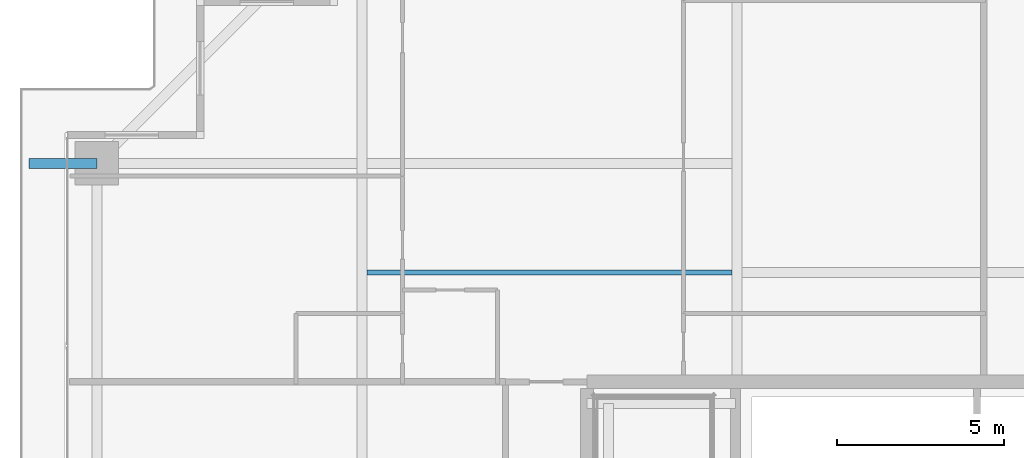
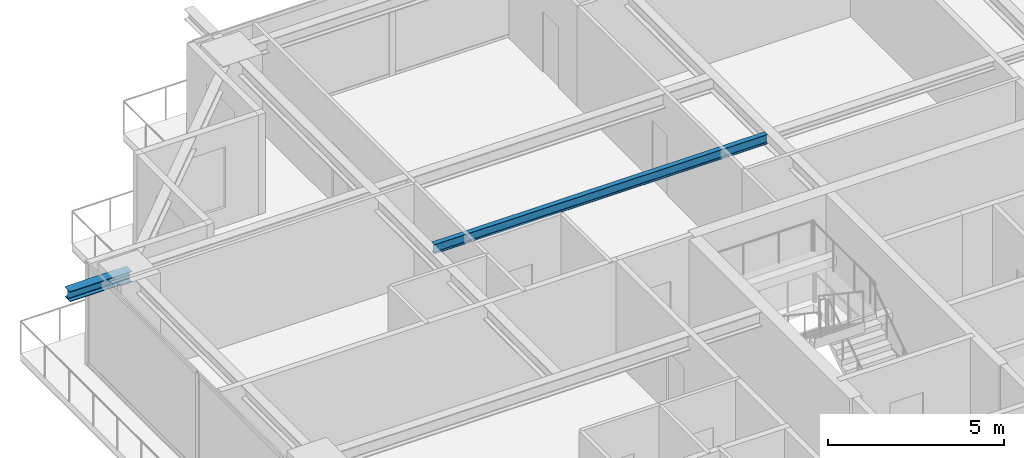
# One storey, part 17 of 36: 2 beams.
"""IFC4 building model written with IfcOpenShell, lengths in metres."""

from ifc_helpers import new_model, si_unit, direction, frame, origin, origin_2d, place, context, subcontext, project, spatial, i_section, extrude, source, transform, mapped, material, material_profile, profile_set, type_object, element, save


model = new_model("IFC4")

# Units and contexts
model_context = context("Model", 3, precision=1e-05, world=origin(), true_north=direction((0.0, 1.0)))
body_context = subcontext(model_context, "Body", "Model", "MODEL_VIEW")
ifc_project = project(units=[si_unit("LENGTHUNIT", "METRE"), si_unit("AREAUNIT", "SQUARE_METRE"), si_unit("VOLUMEUNIT", "CUBIC_METRE"), si_unit("PLANEANGLEUNIT", "RADIAN"), si_unit("MASSUNIT", "GRAM", prefix="KILO")], contexts=[model_context])

# Site, building, storey
site_placement = place(None, origin())
site = spatial("IfcSite", under=ifc_project, at=site_placement, CompositionType="ELEMENT")
building_placement = place(site_placement, origin())
building = spatial("IfcBuilding", under=site, at=building_placement, Name="Serunith Strait Residences", CompositionType="ELEMENT")
storey_placement = place(building_placement, frame((0.0, 0.0, 131.39990234375)))
storey = spatial("IfcBuildingStorey", under=building, at=storey_placement, Name="L32", CompositionType="ELEMENT", Elevation=131.39990234375)

# Beams
ifc_material = material(Name="Steel S355J2", Category="steel")
ifc_material_profile_1 = material_profile(ifc_material, i_section(OverallWidth=0.300048828125, OverallDepth=0.360107421875, WebThickness=0.012451171875, FlangeThickness=0.0224609375, FilletRadius=0.027099609375, at=origin_2d()), Name="HEB 360")
ifc_profile_set_1 = profile_set([ifc_material_profile_1], Name="Steel S355J2")
beam_type_1 = type_object("IfcBeamType", Name="BM-HEB360", PredefinedType="BEAM", material=ifc_profile_set_1)
shared_shape_1 = source(origin(), body_context, "Body", "SweptSolid", [
    extrude(i_section(OverallWidth=0.300048828125, OverallDepth=0.360107421875, WebThickness=0.012451171875, FlangeThickness=0.0224609375, FilletRadius=0.027099609375, at=origin_2d()), origin(), (0.0, 0.0, 1.0), 2.030029296875),
])
beam_1_placement = place(storey_placement, frame((8.699951171875, 40.14990234375, 3.277099609375), z_axis=(-1.0, 0.0, 0.0), x_axis=(0.0, -1.0, 0.0)))
element("IfcBeam", 1, at=beam_1_placement, inside=storey, type_object=beam_type_1, Name="L33 Cantilevered Balcony Rib TC-W4", PredefinedType="BEAM", context=body_context, shape_type="MappedRepresentation", body=[
    mapped(shared_shape_1, transform((0.0, 0.0, 0.0), scale=1.0)),
])
ifc_material_profile_2 = material_profile(ifc_material, i_section(OverallWidth=0.159912109375, OverallDepth=0.330078125, WebThickness=0.007568359375, FlangeThickness=0.011474609375, FilletRadius=0.01806640625, at=origin_2d()), Name="IPE 330")
ifc_profile_set_2 = profile_set([ifc_material_profile_2], Name="Steel S355J2")
beam_type_2 = type_object("IfcBeamType", Name="BM-IPE330", PredefinedType="JOIST", material=ifc_profile_set_2)
shared_shape_2 = source(origin(), body_context, "Body", "SweptSolid", [
    extrude(i_section(OverallWidth=0.159912109375, OverallDepth=0.330078125, WebThickness=0.007568359375, FlangeThickness=0.011474609375, FilletRadius=0.01806640625, at=origin_2d()), origin(), (0.0, 0.0, 1.0), 10.949951171875),
])
beam_2_placement = place(storey_placement, frame((16.800048828125, 36.875, 3.322021484375), z_axis=(1.0, 0.0, 0.0), x_axis=(0.0, 1.0, 0.0)))
element("IfcBeam", 2, at=beam_2_placement, inside=storey, type_object=beam_type_2, Name="L32 Composite Floor Joist 04", PredefinedType="JOIST", context=body_context, shape_type="MappedRepresentation", body=[
    mapped(shared_shape_2, transform((0.0, 0.0, 0.0), scale=1.0)),
])

save(model, "model.ifc")
